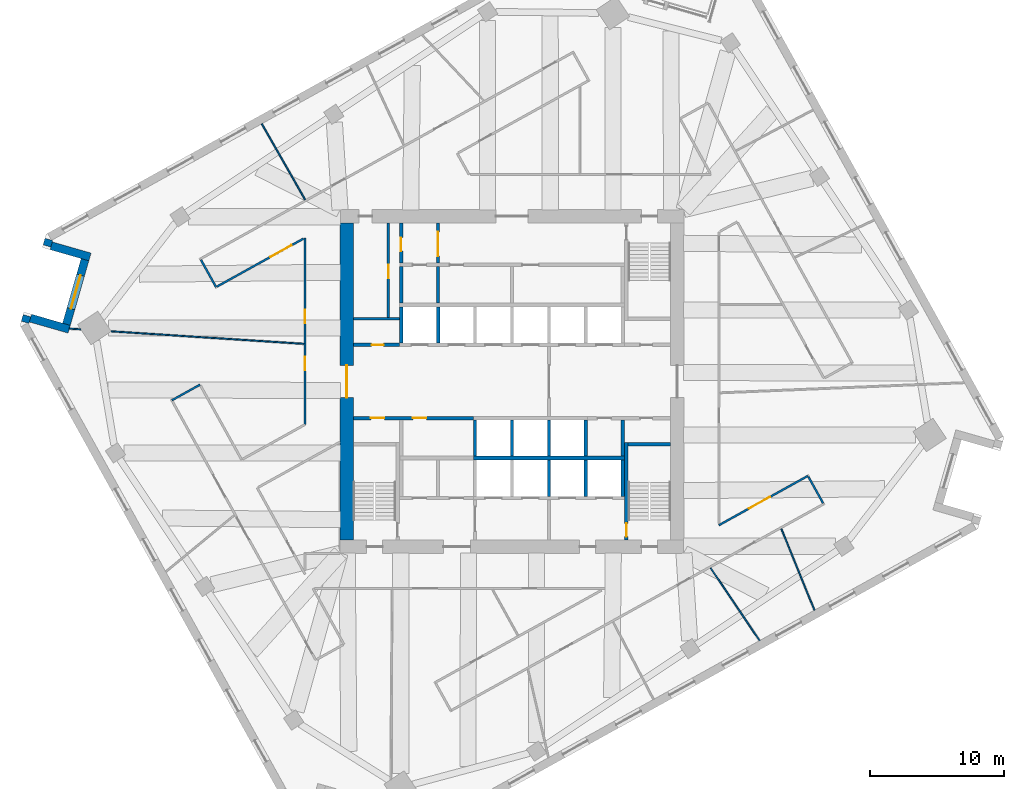
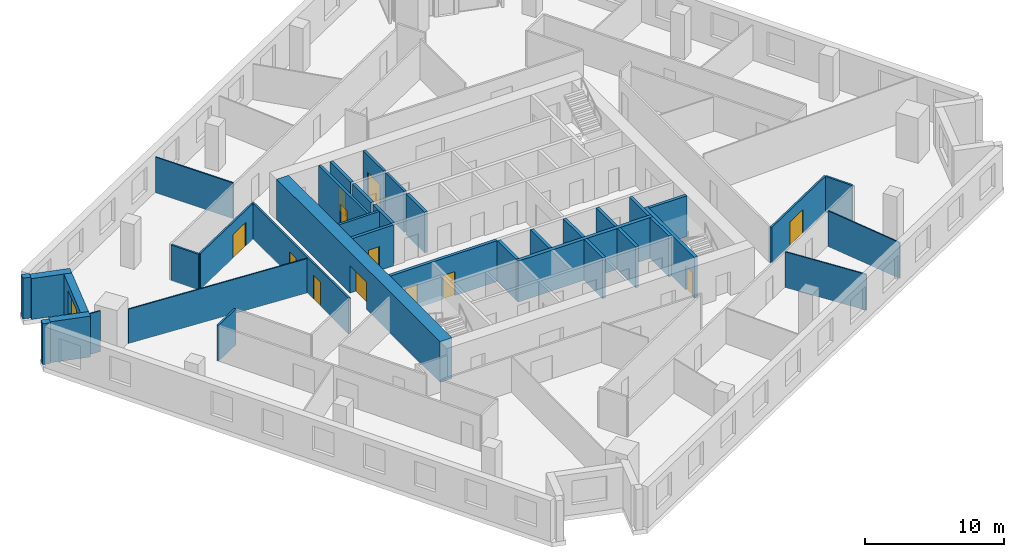
# One storey, part 7 of 12: 38 walls, 12 doors, 1 window, 13 openings.
"""IFC4 building model written with IfcOpenShell, lengths in metres."""

import ifcopenshell
import ifcopenshell.guid

model = None  # the IFC model being written
_history = None  # IfcOwnerHistory: only IFC2X3 demands one
_inside = {}  # id of a spatial element -> (the spatial element, [elements in it])
_under = {}  # id of a project, library or spatial element -> (it, [spatial elements below it])
_declared = {}  # id of a project -> (the project, [libraries it declares])
_typed = {}  # id of a type object -> (the type object, [elements of that type])
_made_of = {}  # id of a material, layer set ... -> (it, [elements and type objects made of it])


def new_model(schema):
    """Start an empty IFC model of exactly this schema.

    Asked for "IFC4X3", IfcOpenShell would pick the latest addendum, in which some entities
    have other attributes; the version numbers below select the first issue.
    IFC2X3 requires an IfcOwnerHistory on every rooted entity: one is made here for all.
    """
    global model, _history
    if schema == "IFC4X3":
        model = ifcopenshell.file(schema_version=(4, 3, 0, 0))
    else:
        model = ifcopenshell.file(schema=schema)
    _inside.clear()
    _under.clear()
    _declared.clear()
    _typed.clear()
    _made_of.clear()
    _history = None
    if model.schema == "IFC2X3":
        org = make("IfcOrganization", Name="unknown")
        user = make(
            "IfcPersonAndOrganization",
            ThePerson=make("IfcPerson", FamilyName="unknown"),
            TheOrganization=org,
        )
        app = make(
            "IfcApplication",
            ApplicationDeveloper=org,
            Version="unknown",
            ApplicationFullName="unknown",
            ApplicationIdentifier="unknown",
        )
        _history = make(
            "IfcOwnerHistory",
            OwningUser=user,
            OwningApplication=app,
            ChangeAction="ADDED",
            CreationDate=0,
        )
    return model


def make(cls, **values):
    """One entity of the class cls with the attributes given. An attribute that is None is left unset."""
    return model.create_entity(
        cls, **{name: value for name, value in values.items() if value is not None}
    )


def rooted(cls, **values):
    """An entity with a GlobalId (a new one), such as an element, a storey or a relation."""
    return make(cls, GlobalId=ifcopenshell.guid.new(), OwnerHistory=_history, **values)


def si_unit(unit_type, name, prefix=None):
    """IfcSIUnit, for example si_unit("LENGTHUNIT", "METRE", prefix="MILLI")."""
    return make("IfcSIUnit", UnitType=unit_type, Prefix=prefix, Name=name)


def assignment(units):
    """IfcUnitAssignment: the units of a project."""
    return None if units is None else make("IfcUnitAssignment", Units=units)


def point(xyz):
    """IfcCartesianPoint."""
    return None if xyz is None else make("IfcCartesianPoint", Coordinates=xyz)


def direction(xyz):
    """IfcDirection."""
    return None if xyz is None else make("IfcDirection", DirectionRatios=xyz)


def frame(location, z_axis=None, x_axis=None):
    """IfcAxis2Placement3D, a coordinate frame: its origin and axes. An axis left out is left unset."""
    return make(
        "IfcAxis2Placement3D",
        Location=point(location),
        Axis=direction(z_axis),
        RefDirection=direction(x_axis),
    )


def frame_2d(location, x_axis=None):
    """IfcAxis2Placement2D, a coordinate frame in the plane: its origin and x axis."""
    return make(
        "IfcAxis2Placement2D", Location=point(location), RefDirection=direction(x_axis)
    )


def origin():
    """The frame at (0, 0, 0) with its axes left unset."""
    return frame((0.0, 0.0, 0.0))


def place(relative_to, where):
    """IfcLocalPlacement: puts the frame where relative to a parent placement (None: the world)."""
    return make(
        "IfcLocalPlacement", PlacementRelTo=relative_to, RelativePlacement=where
    )


def context(
    kind, dimensions, precision=None, world=None, true_north=None, identifier=None
):
    """IfcGeometricRepresentationContext, for example the 3D "Model" context."""
    return make(
        "IfcGeometricRepresentationContext",
        ContextIdentifier=identifier,
        ContextType=kind,
        CoordinateSpaceDimension=dimensions,
        Precision=precision,
        WorldCoordinateSystem=world,
        TrueNorth=true_north,
    )


def subcontext(parent, identifier, kind, view, scale=None):
    """IfcGeometricRepresentationSubContext, for example "Body" below "Model"."""
    return make(
        "IfcGeometricRepresentationSubContext",
        ContextIdentifier=identifier,
        ContextType=kind,
        ParentContext=parent,
        TargetScale=scale,
        TargetView=view,
    )


def project(units=None, contexts=None):
    """IfcProject with its units and contexts."""
    return rooted(
        "IfcProject",
        Name="project",
        RepresentationContexts=contexts,
        UnitsInContext=assignment(units),
    )


def spatial(cls, under=None, at=None, **own):
    """A site, building, storey or space (cls), placed at a placement, below another one or the project."""
    s = rooted(cls, ObjectPlacement=at, **own)
    if under is not None:
        _under.setdefault(under.id(), (under, []))[1].append(s)
    return s


def profile(cls, at=None, kind="AREA", **sizes):
    """A parametric profile (cls). Its sizes go by their IFC names, for example OverallWidth=200.0."""
    return make(cls, ProfileType=kind, Position=at, **sizes)


def rectangle(**sizes):
    """IfcRectangleProfileDef."""
    return profile("IfcRectangleProfileDef", **sizes)


def extrude(swept, where, along, depth):
    """IfcExtrudedAreaSolid: the profile swept, set in the frame where, extruded along a direction by depth."""
    return make(
        "IfcExtrudedAreaSolid",
        SweptArea=swept,
        Position=where,
        ExtrudedDirection=direction(along),
        Depth=depth,
    )


def shape(context_of_items, identifier, shape_type, items):
    """IfcShapeRepresentation: the items that make up one representation, for example the "Body"."""
    return make(
        "IfcShapeRepresentation",
        ContextOfItems=context_of_items,
        RepresentationIdentifier=identifier,
        RepresentationType=shape_type,
        Items=items,
    )


def material(Name=None, Category=None):
    """IfcMaterial."""
    return make("IfcMaterial", Name=Name, Category=Category)


def layer(
    of_material, thickness, ventilated=None, Name=None, Category=None, Priority=None
):
    """IfcMaterialLayer: one layer of a wall or slab, of a material (None: an air gap)."""
    return make(
        "IfcMaterialLayer",
        Material=of_material,
        LayerThickness=thickness,
        IsVentilated=ventilated,
        Name=Name,
        Category=Category,
        Priority=Priority,
    )


def layer_set(layers, Name=None):
    """IfcMaterialLayerSet."""
    return make("IfcMaterialLayerSet", MaterialLayers=layers, LayerSetName=Name)


def made_of(thing, what):
    """Note that an element or type object is made of a material, layer set ...; save() writes the relation."""
    if what is not None:
        _made_of.setdefault(what.id(), (what, []))[1].append(thing)
    return thing


def type_object(cls, material=None, **own):
    """A type object (cls), such as IfcWallType, which elements share."""
    return made_of(rooted(cls, **own), material)


def element(
    cls,
    number,
    at=None,
    inside=None,
    cuts=None,
    type_object=None,
    material=None,
    context=None,
    identifier="Body",
    shape_type=None,
    held_by="IfcProductDefinitionShape",
    body=None,
    shapes=None,
    **own,
):
    """One element of the class cls, such as IfcWall. Its Tag is "e" and its number.

    at: its placement. inside: the storey or other place that contains it. cuts: it is an
    opening in that element (IfcRelVoidsElement). A single representation is given by context,
    identifier, shape_type and body (its items); several are given by shapes. held_by: the class
    of the entity that holds the representations. save() writes the other relations.
    """
    e = rooted(cls, Tag="e%d" % number, ObjectPlacement=at, **own)
    if body is not None:
        shapes = [shape(context, identifier, shape_type, body)]
    if shapes is not None:
        e.Representation = make(held_by, Representations=shapes)
    if inside is not None:
        _inside.setdefault(inside.id(), (inside, []))[1].append(e)
    if cuts is not None:
        rooted(
            "IfcRelVoidsElement", RelatingBuildingElement=cuts, RelatedOpeningElement=e
        )
    if type_object is not None:
        _typed.setdefault(type_object.id(), (type_object, []))[1].append(e)
    return made_of(e, material)


def fill(opening, filler):
    """IfcRelFillsElement: the door or window that sits in an opening."""
    return rooted(
        "IfcRelFillsElement",
        RelatingOpeningElement=opening,
        RelatedBuildingElement=filler,
    )


def aggregate(whole, parts):
    """IfcRelAggregates: a whole, such as a stair, and the parts it consists of."""
    return rooted("IfcRelAggregates", RelatingObject=whole, RelatedObjects=parts)


def save(model, path):
    """Write the relations noted so far, then the file.

    IfcRelAggregates (storeys below a building ...), IfcRelContainedInSpatialStructure (elements
    in a storey), IfcRelDefinesByType, IfcRelAssociatesMaterial and IfcRelDeclares: one each for
    every whole, place, type object, material and project.
    """
    for whole, parts in _under.values():
        aggregate(whole, parts)
    for where, things in _inside.values():
        rooted(
            "IfcRelContainedInSpatialStructure",
            RelatedElements=things,
            RelatingStructure=where,
        )
    for kind, things in _typed.values():
        rooted("IfcRelDefinesByType", RelatedObjects=things, RelatingType=kind)
    for what, things in _made_of.values():
        rooted("IfcRelAssociatesMaterial", RelatedObjects=things, RelatingMaterial=what)
    for by, libraries in _declared.values():
        rooted("IfcRelDeclares", RelatingContext=by, RelatedDefinitions=libraries)
    model.write(path)


model = new_model("IFC4")

# Units and contexts
model_context = context("Model", 3, precision=1e-05, world=origin(), true_north=direction((0.0, 1.0)))
body_context = subcontext(model_context, "Body", "Model", "MODEL_VIEW")
ifc_project = project(units=[si_unit("LENGTHUNIT", "METRE"), si_unit("AREAUNIT", "SQUARE_METRE"), si_unit("VOLUMEUNIT", "CUBIC_METRE"), si_unit("PLANEANGLEUNIT", "RADIAN"), si_unit("MASSUNIT", "GRAM", prefix="KILO")], contexts=[model_context])

# Site, building, storey
site_placement = place(None, origin())
site = spatial("IfcSite", under=ifc_project, at=site_placement, CompositionType="ELEMENT")
building_placement = place(site_placement, origin())
building = spatial("IfcBuilding", under=site, at=building_placement, Name="Dilmun Exchange Tower", CompositionType="ELEMENT")
storey_placement = place(building_placement, frame((0.0, 0.0, 143.699951171875)))
storey = spatial("IfcBuildingStorey", under=building, at=storey_placement, Name="L33", CompositionType="ELEMENT", Elevation=143.699951171875)

# Wall
ifc_material_1 = material(Name="Concrete C40/50", Category="concrete")
ifc_layer_1 = layer(ifc_material_1, 0.199951171875)
ifc_layer_set_1 = layer_set([ifc_layer_1], Name="Concrete C40/50")
wall_type_1 = type_object("IfcWallType", Name="Core partition wall 200", PredefinedType="PARTITIONING", material=ifc_layer_set_1)
wall_1_placement = place(storey_placement, frame((-11.794921875, 4.675048828125, 0.0), z_axis=(0.0, 0.0, 1.0), x_axis=(1.0, 0.0, 0.0)))
element("IfcWall", 1, at=wall_1_placement, inside=storey, type_object=wall_type_1, Name="L33 core partition wall 14", PredefinedType="PARTITIONING", context=body_context, shape_type="SweptSolid", body=[
    extrude(rectangle(XDim=3.4150390625, YDim=0.199951171875, at=frame_2d((1.70751953125, 0.0))), origin(), (0.0, 0.0, 1.0), 3.60009765625),
])

# Wall, opening, door
wall_2_placement = place(storey_placement, frame((-9.199951171875, 4.780029296875, 0.0), z_axis=(0.0, 0.0, 1.0), x_axis=(0.0, 1.0, 0.0)))
wall_2 = element("IfcWall", 2, at=wall_2_placement, inside=storey, type_object=wall_type_1, Name="L33 core partition wall 15", PredefinedType="PARTITIONING", context=body_context, shape_type="SweptSolid", body=[
    extrude(rectangle(XDim=7.014892578125, YDim=0.199951171875, at=frame_2d((3.50732421875, 0.0))), origin(), (0.0, 0.0, 1.0), 3.60009765625),
])
opening_1_placement = place(wall_2_placement, frame((2.919921875, 0.0, 0.0)))
opening_1 = element("IfcOpeningElement", 3, at=opening_1_placement, cuts=wall_2, Name="Opening CD4", PredefinedType="OPENING", context=body_context, shape_type="SweptSolid", body=[
    extrude(rectangle(XDim=1.0, YDim=2.10009765625, at=frame_2d((0.5, 1.050048828125))), frame((0.0, 0.10986328125, 0.0), z_axis=(0.0, -1.0, 0.0), x_axis=(1.0, 0.0, 0.0)), (0.0, 0.0, 1.0), 0.219970703125),
])
ifc_material_2 = material(Name="Fire-rated steel door set", Category="steel")
door_type_1 = type_object("IfcDoorType", Name="Core room door 1000x2100", OperationType="SINGLE_SWING_LEFT", PredefinedType="DOOR", material=ifc_material_2)
door_1_placement = place(opening_1_placement, origin())
door_1 = element("IfcDoor", 4, at=door_1_placement, inside=storey, type_object=door_type_1, Name="L33 door Fire safety store", OperationType="SINGLE_SWING_RIGHT", OverallHeight=2.10009765625, OverallWidth=1.0, PredefinedType="DOOR", context=body_context, shape_type="SweptSolid", body=[
    extrude(rectangle(XDim=1.0, YDim=2.10009765625, at=frame_2d((0.5, 1.050048828125))), frame((0.0, 0.02490234375, 0.0), z_axis=(0.0, -1.0, 0.0), x_axis=(1.0, 0.0, 0.0)), (0.0, 0.0, 1.0), 0.050048828125),
])
fill(opening_1, door_1)

# Wall
wall_3_placement = place(storey_placement, frame((-5.5, 5.85498046875, 0.0), z_axis=(0.0, 0.0, 1.0), x_axis=(0.0, 1.0, 0.0)))
element("IfcWall", 5, at=wall_3_placement, inside=storey, type_object=wall_type_1, Name="L33 core partition wall 17", PredefinedType="PARTITIONING", context=body_context, shape_type="SweptSolid", body=[
    extrude(rectangle(XDim=2.68994140625, YDim=0.199951171875, at=frame_2d((1.344970703125, 0.0))), origin(), (0.0, 0.0, 1.0), 3.60009765625),
])

# Wall, opening, door
wall_4_placement = place(storey_placement, frame((-5.5, 8.804931640625, 0.0), z_axis=(0.0, 0.0, 1.0), x_axis=(0.0, 1.0, 0.0)))
wall_4 = element("IfcWall", 6, at=wall_4_placement, inside=storey, type_object=wall_type_1, Name="L33 core partition wall 22", PredefinedType="PARTITIONING", context=body_context, shape_type="SweptSolid", body=[
    extrude(rectangle(XDim=2.989990234375, YDim=0.199951171875, at=frame_2d((1.4951171875, 0.0))), origin(), (0.0, 0.0, 1.0), 3.60009765625),
])
opening_2_placement = place(wall_4_placement, frame((0.532470703125, 0.0, 0.0)))
opening_2 = element("IfcOpeningElement", 7, at=opening_2_placement, cuts=wall_4, Name="Opening CD5", PredefinedType="OPENING", context=body_context, shape_type="SweptSolid", body=[
    extrude(rectangle(XDim=1.800048828125, YDim=2.10009765625, at=frame_2d((0.89990234375, 1.050048828125))), frame((0.0, 0.10986328125, 0.0), z_axis=(0.0, -1.0, 0.0), x_axis=(1.0, 0.0, 0.0)), (0.0, 0.0, 1.0), 0.219970703125),
])
door_type_2 = type_object("IfcDoorType", Name="Stair exit door 1800x2100", OperationType="SINGLE_SWING_LEFT", PredefinedType="DOOR", material=ifc_material_2)
door_2_placement = place(opening_2_placement, origin())
door_2 = element("IfcDoor", 8, at=door_2_placement, inside=storey, type_object=door_type_2, Name="L33 door Core corridor east", OperationType="SINGLE_SWING_LEFT", OverallHeight=2.10009765625, OverallWidth=1.800048828125, PredefinedType="DOOR", context=body_context, shape_type="SweptSolid", body=[
    extrude(rectangle(XDim=1.800048828125, YDim=2.10009765625, at=frame_2d((0.89990234375, 1.050048828125))), frame((0.0, 0.02490234375, 0.0), z_axis=(0.0, -1.0, 0.0), x_axis=(1.0, 0.0, 0.0)), (0.0, 0.0, 1.0), 0.050048828125),
])
fill(opening_2, door_2)

# Wall
ifc_layer_2 = layer(ifc_material_1, 0.25)
ifc_layer_set_2 = layer_set([ifc_layer_2], Name="Concrete C40/50")
wall_type_2 = type_object("IfcWallType", Name="Core partition wall 250", PredefinedType="PARTITIONING", material=ifc_layer_set_2)
wall_5_placement = place(storey_placement, frame((8.25, -5.544921875, 0.0), z_axis=(0.0, 0.0, 1.0), x_axis=(0.0, 1.0, 0.0)))
element("IfcWall", 9, at=wall_5_placement, inside=storey, type_object=wall_type_2, Name="L33 core partition wall 08", PredefinedType="PARTITIONING", context=body_context, shape_type="SweptSolid", body=[
    extrude(rectangle(XDim=2.68994140625, YDim=0.25, at=frame_2d((1.344970703125, 0.0))), origin(), (0.0, 0.0, 1.0), 3.60009765625),
])

# Wall, openings, doors
wall_6_placement = place(storey_placement, frame((-11.794921875, -2.72509765625, 0.0), z_axis=(0.0, 0.0, 1.0), x_axis=(1.0, 0.0, 0.0)))
wall_6 = element("IfcWall", 10, at=wall_6_placement, inside=storey, type_object=wall_type_2, Name="L33 core partition wall 09", PredefinedType="PARTITIONING", context=body_context, shape_type="SweptSolid", body=[
    extrude(rectangle(XDim=8.9150390625, YDim=0.25, at=frame_2d((4.45751953125, 0.0))), origin(), (0.0, 0.0, 1.0), 3.60009765625),
])
opening_3_placement = place(wall_6_placement, frame((1.294921875, 0.0, 0.0)))
opening_3 = element("IfcOpeningElement", 11, at=opening_3_placement, cuts=wall_6, Name="Opening CD4", PredefinedType="OPENING", context=body_context, shape_type="SweptSolid", body=[
    extrude(rectangle(XDim=1.0, YDim=2.10009765625, at=frame_2d((0.5, 1.050048828125))), frame((0.0, 0.135009765625, 0.0), z_axis=(0.0, -1.0, 0.0), x_axis=(1.0, 0.0, 0.0)), (0.0, 0.0, 1.0), 0.27001953125),
])
opening_4_placement = place(wall_6_placement, frame((4.419921875, 0.0, 0.0)))
opening_4 = element("IfcOpeningElement", 12, at=opening_4_placement, cuts=wall_6, Name="Opening CD4", PredefinedType="OPENING", context=body_context, shape_type="SweptSolid", body=[
    extrude(rectangle(XDim=1.0, YDim=2.10009765625, at=frame_2d((0.5, 1.050048828125))), frame((0.0, 0.135009765625, 0.0), z_axis=(0.0, -1.0, 0.0), x_axis=(1.0, 0.0, 0.0)), (0.0, 0.0, 1.0), 0.27001953125),
])
door_3_placement = place(opening_3_placement, origin())
door_3 = element("IfcDoor", 13, at=door_3_placement, inside=storey, type_object=door_type_1, Name="L33 door Accessible WC", OperationType="SINGLE_SWING_RIGHT", OverallHeight=2.10009765625, OverallWidth=1.0, PredefinedType="DOOR", context=body_context, shape_type="SweptSolid", body=[
    extrude(rectangle(XDim=1.0, YDim=2.10009765625, at=frame_2d((0.5, 1.050048828125))), frame((0.0, 0.02490234375, 0.0), z_axis=(0.0, -1.0, 0.0), x_axis=(1.0, 0.0, 0.0)), (0.0, 0.0, 1.0), 0.050048828125),
])
fill(opening_3, door_3)
door_4_placement = place(opening_4_placement, origin())
door_4 = element("IfcDoor", 14, at=door_4_placement, inside=storey, type_object=door_type_1, Name="L33 door Tenant services room", OperationType="SINGLE_SWING_RIGHT", OverallHeight=2.10009765625, OverallWidth=1.0, PredefinedType="DOOR", context=body_context, shape_type="SweptSolid", body=[
    extrude(rectangle(XDim=1.0, YDim=2.10009765625, at=frame_2d((0.5, 1.050048828125))), frame((0.0, 0.02490234375, 0.0), z_axis=(0.0, -1.0, 0.0), x_axis=(1.0, 0.0, 0.0)), (0.0, 0.0, 1.0), 0.050048828125),
])
fill(opening_4, door_4)

# Wall, opening, door
wall_7_placement = place(storey_placement, frame((-11.794921875, 2.72509765625, 0.0), z_axis=(0.0, 0.0, 1.0), x_axis=(1.0, 0.0, 0.0)))
wall_7 = element("IfcWall", 15, at=wall_7_placement, inside=storey, type_object=wall_type_2, Name="L33 core partition wall 12", PredefinedType="PARTITIONING", context=body_context, shape_type="SweptSolid", body=[
    extrude(rectangle(XDim=3.4150390625, YDim=0.25, at=frame_2d((1.70751953125, 0.0))), origin(), (0.0, 0.0, 1.0), 3.60009765625),
])
opening_5_placement = place(wall_7_placement, frame((1.344970703125, 0.0, 0.0)))
opening_5 = element("IfcOpeningElement", 16, at=opening_5_placement, cuts=wall_7, Name="Opening CD6", PredefinedType="OPENING", context=body_context, shape_type="SweptSolid", body=[
    extrude(rectangle(XDim=0.89990234375, YDim=2.10009765625, at=frame_2d((0.449951171875, 1.050048828125))), frame((0.0, 0.135009765625, 0.0), z_axis=(0.0, -1.0, 0.0), x_axis=(1.0, 0.0, 0.0)), (0.0, 0.0, 1.0), 0.27001953125),
])
door_type_3 = type_object("IfcDoorType", Name="Core room door 900x2100", OperationType="SINGLE_SWING_LEFT", PredefinedType="DOOR", material=ifc_material_2)
door_5_placement = place(opening_5_placement, origin())
door_5 = element("IfcDoor", 17, at=door_5_placement, inside=storey, type_object=door_type_3, Name="L33 door Plumbing riser", OperationType="SINGLE_SWING_RIGHT", OverallHeight=2.10009765625, OverallWidth=0.89990234375, PredefinedType="DOOR", context=body_context, shape_type="SweptSolid", body=[
    extrude(rectangle(XDim=0.89990234375, YDim=2.10009765625, at=frame_2d((0.449951171875, 1.050048828125))), frame((0.0, 0.02490234375, 0.0), z_axis=(0.0, -1.0, 0.0), x_axis=(1.0, 0.0, 0.0)), (0.0, 0.0, 1.0), 0.050048828125),
])
fill(opening_5, door_5)

# Wall
wall_8_placement = place(storey_placement, frame((-8.25, 5.85498046875, 0.0), z_axis=(0.0, 0.0, 1.0), x_axis=(0.0, 1.0, 0.0)))
element("IfcWall", 18, at=wall_8_placement, inside=storey, type_object=wall_type_2, Name="L33 core partition wall 16", PredefinedType="PARTITIONING", context=body_context, shape_type="SweptSolid", body=[
    extrude(rectangle(XDim=2.68994140625, YDim=0.25, at=frame_2d((1.344970703125, 0.0))), origin(), (0.0, 0.0, 1.0), 3.60009765625),
])

# Wall, opening, door
wall_9_placement = place(storey_placement, frame((-8.25, 8.804931640625, 0.0), z_axis=(0.0, 0.0, 1.0), x_axis=(0.0, 1.0, 0.0)))
wall_9 = element("IfcWall", 19, at=wall_9_placement, inside=storey, type_object=wall_type_2, Name="L33 core partition wall 21", PredefinedType="PARTITIONING", context=body_context, shape_type="SweptSolid", body=[
    extrude(rectangle(XDim=2.989990234375, YDim=0.25, at=frame_2d((1.4951171875, 0.0))), origin(), (0.0, 0.0, 1.0), 3.60009765625),
])
opening_6_placement = place(wall_9_placement, frame((0.89501953125, 0.0, 0.0)))
opening_6 = element("IfcOpeningElement", 20, at=opening_6_placement, cuts=wall_9, Name="Opening CD4", PredefinedType="OPENING", context=body_context, shape_type="SweptSolid", body=[
    extrude(rectangle(XDim=1.0, YDim=2.10009765625, at=frame_2d((0.5, 1.050048828125))), frame((0.0, 0.135009765625, 0.0), z_axis=(0.0, -1.0, 0.0), x_axis=(1.0, 0.0, 0.0)), (0.0, 0.0, 1.0), 0.27001953125),
])
door_6_placement = place(opening_6_placement, origin())
door_6 = element("IfcDoor", 21, at=door_6_placement, inside=storey, type_object=door_type_1, Name="L33 door Tenant services room", OperationType="SINGLE_SWING_RIGHT", OverallHeight=2.10009765625, OverallWidth=1.0, PredefinedType="DOOR", context=body_context, shape_type="SweptSolid", body=[
    extrude(rectangle(XDim=1.0, YDim=2.10009765625, at=frame_2d((0.5, 1.050048828125))), frame((0.0, 0.02490234375, 0.0), z_axis=(0.0, -1.0, 0.0), x_axis=(1.0, 0.0, 0.0)), (0.0, 0.0, 1.0), 0.050048828125),
])
fill(opening_6, door_6)

ifc_material_3 = material(Name="Concrete C70/85", Category="concrete")
ifc_layer_3 = layer(ifc_material_3, 1.0)
ifc_layer_set_3 = layer_set([ifc_layer_3], Name="Concrete C70/85")
wall_type_3 = type_object("IfcWallType", Name="Core shear wall 1000 Concrete C70/85", PredefinedType="SHEAR", material=ifc_layer_set_3)
wall_10_placement = place(storey_placement, frame((-12.300048828125, -11.800048828125, 0.0), z_axis=(0.0, 0.0, 1.0), x_axis=(0.0, 1.0, 0.0)))
wall_10 = element("IfcWall", 22, at=wall_10_placement, inside=storey, type_object=wall_type_3, Name="L33 core shear wall W", PredefinedType="SHEAR", context=body_context, shape_type="SweptSolid", body=[
    extrude(rectangle(XDim=23.60009765625, YDim=1.0, at=frame_2d((11.800048828125, 0.0))), origin(), (0.0, 0.0, 1.0), 3.60009765625),
])
opening_7_placement = place(wall_10_placement, frame((10.60009765625, 0.0, 0.0)))
opening_7 = element("IfcOpeningElement", 23, at=opening_7_placement, cuts=wall_10, Name="Opening CD1", PredefinedType="OPENING", context=body_context, shape_type="SweptSolid", body=[
    extrude(rectangle(XDim=2.39990234375, YDim=2.39990234375, at=frame_2d((1.199951171875, 1.199951171875))), frame((0.0, 0.510009765625, 0.0), z_axis=(0.0, -1.0, 0.0), x_axis=(1.0, 0.0, 0.0)), (0.0, 0.0, 1.0), 1.02001953125),
])
door_type_4 = type_object("IfcDoorType", Name="Core lobby door 2400x2400", OperationType="DOUBLE_DOOR_DOUBLE_SWING", PredefinedType="DOOR", material=ifc_material_2)
door_7_placement = place(opening_7_placement, origin())
door_7 = element("IfcDoor", 24, at=door_7_placement, inside=storey, type_object=door_type_4, Name="L33 door Central lift lobby", OperationType="SINGLE_SWING_LEFT", OverallHeight=2.39990234375, OverallWidth=2.39990234375, PredefinedType="DOOR", context=body_context, shape_type="SweptSolid", body=[
    extrude(rectangle(XDim=2.39990234375, YDim=2.39990234375, at=frame_2d((1.199951171875, 1.199951171875))), frame((0.0, 0.02490234375, 0.0), z_axis=(0.0, -1.0, 0.0), x_axis=(1.0, 0.0, 0.0)), (0.0, 0.0, 1.0), 0.050048828125),
])
fill(opening_7, door_7)

# Walls
ifc_material_4 = material(Name="Corridor wall 150")
ifc_layer_4 = layer(ifc_material_4, 0.14990234375)
ifc_layer_set_4 = layer_set([ifc_layer_4], Name="Corridor wall 150")
wall_type_4 = type_object("IfcWallType", Name="Corridor wall 150", PredefinedType="PARTITIONING", material=ifc_layer_set_4)
wall_11_placement = place(storey_placement, frame((-25.31494140625, -1.40087890625, 0.0), z_axis=(0.0, 0.0, 1.0), x_axis=(0.874550463112, 0.484934518745, 0.0)))
element("IfcWall", 25, at=wall_11_placement, inside=storey, type_object=wall_type_4, Name="Corridor wall", PredefinedType="PARTITIONING", context=body_context, shape_type="SweptSolid", body=[
    extrude(rectangle(XDim=2.39990234375, YDim=0.14990234375, at=frame_2d((1.199951171875, 0.0))), origin(), (0.0, 0.0, 1.0), 3.150146484375),
])
wall_12_placement = place(storey_placement, frame((-23.150634765625, 9.057373046875, 0.0), z_axis=(0.0, 0.0, 1.0), x_axis=(0.484983092102, -0.874523527628, 0.0)))
element("IfcWall", 26, at=wall_12_placement, inside=storey, type_object=wall_type_4, Name="Corridor wall", PredefinedType="PARTITIONING", context=body_context, shape_type="SweptSolid", body=[
    extrude(rectangle(XDim=2.3251953125, YDim=0.14990234375, at=frame_2d((1.16259765625, 0.0))), origin(), (0.0, 0.0, 1.0), 3.150146484375),
])

# Wall, opening, door
wall_13_placement = place(storey_placement, frame((-21.95751953125, 7.060302734375, 0.0), z_axis=(0.0, 0.0, 1.0), x_axis=(0.87462563297, 0.484798929611, 0.0)))
wall_13 = element("IfcWall", 27, at=wall_13_placement, inside=storey, type_object=wall_type_4, Name="Corridor wall", PredefinedType="PARTITIONING", context=body_context, shape_type="SweptSolid", body=[
    extrude(rectangle(XDim=7.3701171875, YDim=0.14990234375, at=frame_2d((3.68505859375, 0.0))), origin(), (0.0, 0.0, 1.0), 3.150146484375),
])
opening_8_placement = place(wall_13_placement, frame((4.550048828125, 0.0, 0.0)))
opening_8 = element("IfcOpeningElement", 28, at=opening_8_placement, cuts=wall_13, Name="Opening TF31-D03", PredefinedType="OPENING", context=body_context, shape_type="SweptSolid", body=[
    extrude(rectangle(XDim=1.800048828125, YDim=2.10009765625, at=frame_2d((0.89990234375, 1.050048828125))), frame((0.0, 0.0849609375, 0.0), z_axis=(0.0, -1.0, 0.0), x_axis=(1.0, 0.0, 0.0)), (0.0, 0.0, 1.0), 0.169921875),
])
ifc_material_5 = material(Name="Fire door pair 1800 x 2100")
door_type_5 = type_object("IfcDoorType", Name="Fire door pair 1800 x 2100", OperationType="NOTDEFINED", PredefinedType="DOOR", material=ifc_material_5)
door_8_placement = place(opening_8_placement, frame((1.800048828125, 0.0, 0.0), z_axis=(0.0, 0.0, 1.0), x_axis=(-1.0, 0.0, 0.0)))
door_8 = element("IfcDoor", 29, at=door_8_placement, inside=storey, type_object=door_type_5, Name="Door TF31-D03", OperationType="DOUBLE_DOOR_SINGLE_SWING", OverallHeight=2.10009765625, OverallWidth=1.800048828125, PredefinedType="DOOR", context=body_context, shape_type="SweptSolid", body=[
    extrude(rectangle(XDim=1.800048828125, YDim=2.10009765625, at=frame_2d((0.89990234375, 1.050048828125))), frame((0.0, 0.02490234375, 0.0), z_axis=(0.0, -1.0, 0.0), x_axis=(1.0, 0.0, 0.0)), (0.0, 0.0, 1.0), 0.050048828125),
])
fill(opening_8, door_8)

# Wall, openings, doors
wall_14_placement = place(storey_placement, frame((-15.39990234375, -3.200927734375, 0.0), z_axis=(0.0, 0.0, 1.0), x_axis=(0.0, 1.0, 0.0)))
wall_14 = element("IfcWall", 30, at=wall_14_placement, inside=storey, type_object=wall_type_4, Name="Corridor wall", PredefinedType="PARTITIONING", context=body_context, shape_type="SweptSolid", body=[
    extrude(rectangle(XDim=13.89599609375, YDim=0.14990234375, at=frame_2d((6.947998046875, 0.0))), origin(), (0.0, 0.0, 1.0), 3.150146484375),
])
opening_9_placement = place(wall_14_placement, frame((4.050048828125, 0.0, 0.0)))
opening_9 = element("IfcOpeningElement", 31, at=opening_9_placement, cuts=wall_14, Name="Opening TF31-D02", PredefinedType="OPENING", context=body_context, shape_type="SweptSolid", body=[
    extrude(rectangle(XDim=1.0, YDim=2.10009765625, at=frame_2d((0.5, 1.050048828125))), frame((0.0, 0.0849609375, 0.0), z_axis=(0.0, -1.0, 0.0), x_axis=(1.0, 0.0, 0.0)), (0.0, 0.0, 1.0), 0.169921875),
])
opening_10_placement = place(wall_14_placement, frame((7.545654296875, 0.0, 0.0)))
opening_10 = element("IfcOpeningElement", 32, at=opening_10_placement, cuts=wall_14, Name="Opening TF31-D04", PredefinedType="OPENING", context=body_context, shape_type="SweptSolid", body=[
    extrude(rectangle(XDim=1.0, YDim=2.10009765625, at=frame_2d((0.5, 1.050048828125))), frame((0.0, 0.0849609375, 0.0), z_axis=(0.0, -1.0, 0.0), x_axis=(1.0, 0.0, 0.0)), (0.0, 0.0, 1.0), 0.169921875),
])
ifc_material_6 = material(Name="Fire door 1000 x 2100")
door_type_6 = type_object("IfcDoorType", Name="Fire door 1000 x 2100", OperationType="NOTDEFINED", PredefinedType="DOOR", material=ifc_material_6)
door_9_placement = place(opening_9_placement, origin())
door_9 = element("IfcDoor", 33, at=door_9_placement, inside=storey, type_object=door_type_6, Name="Door TF31-D02", OperationType="SINGLE_SWING_RIGHT", OverallHeight=2.10009765625, OverallWidth=1.0, PredefinedType="DOOR", context=body_context, shape_type="SweptSolid", body=[
    extrude(rectangle(XDim=1.0, YDim=2.10009765625, at=frame_2d((0.5, 1.050048828125))), frame((0.0, 0.02490234375, 0.0), z_axis=(0.0, -1.0, 0.0), x_axis=(1.0, 0.0, 0.0)), (0.0, 0.0, 1.0), 0.050048828125),
])
fill(opening_9, door_9)
door_10_placement = place(opening_10_placement, origin())
door_10 = element("IfcDoor", 34, at=door_10_placement, inside=storey, type_object=door_type_6, Name="Door TF31-D04", OperationType="SINGLE_SWING_RIGHT", OverallHeight=2.10009765625, OverallWidth=1.0, PredefinedType="DOOR", context=body_context, shape_type="SweptSolid", body=[
    extrude(rectangle(XDim=1.0, YDim=2.10009765625, at=frame_2d((0.5, 1.050048828125))), frame((0.0, 0.02490234375, 0.0), z_axis=(0.0, -1.0, 0.0), x_axis=(1.0, 0.0, 0.0)), (0.0, 0.0, 1.0), 0.050048828125),
])
fill(opening_10, door_10)

# Wall, opening, door
wall_15_placement = place(storey_placement, frame((15.39990234375, -10.695068359375, 0.0), z_axis=(0.0, 0.0, 1.0), x_axis=(0.874623752953, 0.484802321334, 0.0)))
wall_15 = element("IfcWall", 35, at=wall_15_placement, inside=storey, type_object=wall_type_4, Name="Corridor wall", PredefinedType="PARTITIONING", context=body_context, shape_type="SweptSolid", body=[
    extrude(rectangle(XDim=7.572509765625, YDim=0.14990234375, at=frame_2d((3.7861328125, 0.0))), origin(), (0.0, 0.0, 1.0), 3.150146484375),
])
opening_11_placement = place(wall_15_placement, frame((2.550048828125, 0.0, 0.0)))
opening_11 = element("IfcOpeningElement", 36, at=opening_11_placement, cuts=wall_15, Name="Opening TF31-D22", PredefinedType="OPENING", context=body_context, shape_type="SweptSolid", body=[
    extrude(rectangle(XDim=1.800048828125, YDim=2.10009765625, at=frame_2d((0.89990234375, 1.050048828125))), frame((0.0, 0.0849609375, 0.0), z_axis=(0.0, -1.0, 0.0), x_axis=(1.0, 0.0, 0.0)), (0.0, 0.0, 1.0), 0.169921875),
])
door_11_placement = place(opening_11_placement, origin())
door_11 = element("IfcDoor", 37, at=door_11_placement, inside=storey, type_object=door_type_5, Name="Door TF31-D22", OperationType="DOUBLE_DOOR_SINGLE_SWING", OverallHeight=2.10009765625, OverallWidth=1.800048828125, PredefinedType="DOOR", context=body_context, shape_type="SweptSolid", body=[
    extrude(rectangle(XDim=1.800048828125, YDim=2.10009765625, at=frame_2d((0.89990234375, 1.050048828125))), frame((0.0, 0.02490234375, 0.0), z_axis=(0.0, -1.0, 0.0), x_axis=(1.0, 0.0, 0.0)), (0.0, 0.0, 1.0), 0.050048828125),
])
fill(opening_11, door_11)

# Walls
wall_16_placement = place(storey_placement, frame((22.059326171875, -7.089599609375, 0.0), z_axis=(0.0, 0.0, 1.0), x_axis=(0.484997936641, -0.874515295151, 0.0)))
element("IfcWall", 38, at=wall_16_placement, inside=storey, type_object=wall_type_4, Name="Corridor wall", PredefinedType="PARTITIONING", context=body_context, shape_type="SweptSolid", body=[
    extrude(rectangle(XDim=2.250244140625, YDim=0.14990234375, at=frame_2d((1.125, 0.0))), origin(), (0.0, 0.0, 1.0), 3.150146484375),
])
ifc_layer_5 = layer(ifc_material_1, 0.300048828125)
ifc_layer_set_5 = layer_set([ifc_layer_5], Name="Concrete C40/50")
wall_type_5 = type_object("IfcWallType", Name="Lift shaft shared wall 300", PredefinedType="SOLIDWALL", material=ifc_layer_set_5)
wall_17_placement = place(storey_placement, frame((-2.875, -5.699951171875, 0.0), z_axis=(0.0, 0.0, 1.0), x_axis=(1.0, 0.0, 0.0)))
element("IfcWall", 39, at=wall_17_placement, inside=storey, type_object=wall_type_5, Name="L33 lift shaft rear wall S", PredefinedType="SOLIDWALL", context=body_context, shape_type="SweptSolid", body=[
    extrude(rectangle(XDim=11.25, YDim=0.300048828125, at=frame_2d((5.625, 0.0))), origin(), (0.0, 0.0, 1.0), 3.60009765625),
])
ifc_layer_6 = layer(ifc_material_1, 0.25)
ifc_layer_set_6 = layer_set([ifc_layer_6], Name="Concrete C40/50")
wall_type_6 = type_object("IfcWallType", Name="Lift shaft wall 250", PredefinedType="SOLIDWALL", material=ifc_layer_set_6)
for number, where, z_axis, x_axis, name in (
    (40, (-8.25, 2.85009765625, 0.0), (0.0, 0.0, 1.0), (0.0, 1.0, 0.0), "L33 lift shaft divider N10"),
    (41, (-5.5, 2.85009765625, 0.0), (0.0, 0.0, 1.0), (0.0, 1.0, 0.0), "L33 lift shaft divider N11"),
    (42, (-2.75, -5.550048828125, 0.0), (0.0, 0.0, 1.0), (0.0, 1.0, 0.0), "L33 lift shaft divider S12"),
    (43, (0.0, -5.550048828125, 0.0), (0.0, 0.0, 1.0), (0.0, 1.0, 0.0), "L33 lift shaft divider S13"),
    (44, (2.75, -5.550048828125, 0.0), (0.0, 0.0, 1.0), (0.0, 1.0, 0.0), "L33 lift shaft divider S14"),
    (45, (5.5, -5.550048828125, 0.0), (0.0, 0.0, 1.0), (0.0, 1.0, 0.0), "L33 lift shaft divider S15"),
    (46, (2.75, -8.550048828125, 0.0), (0.0, 0.0, 1.0), (0.0, 1.0, 0.0), "L33 lift shaft divider S24"),
    (47, (5.5, -8.550048828125, 0.0), (0.0, 0.0, 1.0), (0.0, 1.0, 0.0), "L33 lift shaft divider S25"),
    (48, (8.25, -8.550048828125, 0.0), (0.0, 0.0, 1.0), (0.0, 1.0, 0.0), "L33 lift shaft divider S26"),
):
    element("IfcWall", number, at=place(storey_placement, frame(where, z_axis=z_axis, x_axis=x_axis)), inside=storey, type_object=wall_type_6, Name=name, PredefinedType="SOLIDWALL", context=body_context, shape_type="SweptSolid", body=[
        extrude(rectangle(XDim=2.699951171875, YDim=0.25, at=frame_2d((1.35009765625, 0.0))), origin(), (0.0, 0.0, 1.0), 3.60009765625),
    ])
ifc_material_7 = material(Name="Partition 100")
ifc_layer_7 = layer(ifc_material_7, 0.10009765625)
ifc_layer_set_7 = layer_set([ifc_layer_7], Name="Partition 100")
wall_type_7 = type_object("IfcWallType", Name="Partition 100", PredefinedType="PARTITIONING", material=ifc_layer_set_7)
wall_18_placement = place(storey_placement, frame((-32.934814453125, 3.93408203125, 0.0), z_axis=(0.0, 0.0, 1.0), x_axis=(0.997900062075, -0.064772417822, 0.0)))
element("IfcWall", 49, at=wall_18_placement, inside=storey, type_object=wall_type_7, Name="Partition", PredefinedType="PARTITIONING", context=body_context, shape_type="SweptSolid", body=[
    extrude(rectangle(XDim=0.84423828125, YDim=0.10009765625, at=frame_2d((0.422119140625, 0.0))), origin(), (0.0, 0.0, 1.0), 3.60009765625),
])
wall_19_placement = place(storey_placement, frame((-29.830810546875, 3.732421875, 0.0), z_axis=(0.0, 0.0, 1.0), x_axis=(0.997896608912, -0.0648255962, 0.0)))
element("IfcWall", 50, at=wall_19_placement, inside=storey, type_object=wall_type_7, Name="Partition", PredefinedType="PARTITIONING", context=body_context, shape_type="SweptSolid", body=[
    extrude(rectangle(XDim=14.3828125, YDim=0.10009765625, at=frame_2d((7.19140625, 0.0))), origin(), (0.0, 0.0, 1.0), 3.030029296875),
])
wall_20_placement = place(storey_placement, frame((-18.622314453125, 19.173828125, 0.0), z_axis=(0.0, 0.0, 1.0), x_axis=(0.496555361039, -0.8680050538, 0.0)))
element("IfcWall", 51, at=wall_20_placement, inside=storey, type_object=wall_type_7, Name="Partition", PredefinedType="PARTITIONING", context=body_context, shape_type="SweptSolid", body=[
    extrude(rectangle(XDim=6.502197265625, YDim=0.10009765625, at=frame_2d((3.2509765625, 0.0))), origin(), (0.0, 0.0, 1.0), 3.150146484375),
])
wall_21_placement = place(storey_placement, frame((14.777587890625, -13.875, 0.0), z_axis=(0.0, 0.0, 1.0), x_axis=(0.559166197626, -0.829055585249, 0.0)))
element("IfcWall", 52, at=wall_21_placement, inside=storey, type_object=wall_type_7, Name="Partition", PredefinedType="PARTITIONING", context=body_context, shape_type="SweptSolid", body=[
    extrude(rectangle(XDim=6.52294921875, YDim=0.10009765625, at=frame_2d((3.261474609375, 0.0))), origin(), (0.0, 0.0, 1.0), 3.150146484375),
])
wall_22_placement = place(storey_placement, frame((20.038818359375, -10.96044921875, 0.0), z_axis=(0.0, 0.0, 1.0), x_axis=(0.377410664053, -0.926045998134, 0.0)))
element("IfcWall", 53, at=wall_22_placement, inside=storey, type_object=wall_type_7, Name="Partition", PredefinedType="PARTITIONING", context=body_context, shape_type="SweptSolid", body=[
    extrude(rectangle(XDim=6.543212890625, YDim=0.10009765625, at=frame_2d((3.271484375, 0.0))), origin(), (0.0, 0.0, 1.0), 3.150146484375),
])
ifc_material_8 = material(Name="Precast concrete C50/60", Category="concrete")
ifc_layer_8 = layer(ifc_material_8, 0.60009765625)
ifc_layer_set_8 = layer_set([ifc_layer_8], Name="Precast concrete C50/60")
wall_type_8 = type_object("IfcWallType", Name="Precast stone-clad wall 600", PredefinedType="STANDARD", material=ifc_layer_set_8)
wall_23_placement = place(storey_placement, frame((-34.465576171875, 10.5751953125, 0.0), z_axis=(0.0, 0.0, 1.0), x_axis=(-0.275667500387, -0.96125305161, 0.0)))
element("IfcWall", 54, at=wall_23_placement, inside=storey, type_object=wall_type_8, Name="Facade wall L33-04", PredefinedType="STANDARD", context=body_context, shape_type="SweptSolid", body=[
    extrude(rectangle(XDim=0.510986328125, YDim=0.60009765625, at=frame_2d((0.25537109375, 0.0))), origin(), (0.0, 0.0, 1.0), 3.60009765625),
])
wall_24_placement = place(storey_placement, frame((-34.29052734375, 10.097412109375, 0.0), z_axis=(0.0, 0.0, 1.0), x_axis=(0.96126248289, -0.275634611374, 0.0)))
element("IfcWall", 55, at=wall_24_placement, inside=storey, type_object=wall_type_8, Name="Facade wall L33-05", PredefinedType="STANDARD", context=body_context, shape_type="SweptSolid", body=[
    extrude(rectangle(XDim=3.0, YDim=0.60009765625, at=frame_2d((1.5, 0.0))), origin(), (0.0, 0.0, 1.0), 3.60009765625),
])

# Wall, opening, window
wall_25_placement = place(storey_placement, frame((-31.777587890625, 9.064697265625, 0.0), z_axis=(0.0, 0.0, 1.0), x_axis=(-0.275675415896, -0.961250781571, 0.0)))
wall_25 = element("IfcWall", 56, at=wall_25_placement, inside=storey, type_object=wall_type_8, Name="Facade wall L33-06", PredefinedType="STANDARD", context=body_context, shape_type="SweptSolid", body=[
    extrude(rectangle(XDim=5.000244140625, YDim=0.60009765625, at=frame_2d((2.5, 0.0))), origin(), (0.0, 0.0, 1.0), 3.60009765625),
])
opening_12_placement = place(wall_25_placement, frame((1.199951171875, 0.0, 0.89990234375)))
opening_12 = element("IfcOpeningElement", 57, at=opening_12_placement, cuts=wall_25, Name="Opening W260-210", PredefinedType="OPENING", context=body_context, shape_type="SweptSolid", body=[
    extrude(rectangle(XDim=2.60009765625, YDim=2.10009765625, at=frame_2d((1.300048828125, 1.050048828125))), frame((0.0, 0.31005859375, 0.0), z_axis=(0.0, -1.0, 0.0), x_axis=(1.0, 0.0, 0.0)), (0.0, 0.0, 1.0), 0.6201171875),
])
ifc_material_9 = material(Name="Clear low-emissivity glass in aluminium frame", Category="aluminium")
window_type = type_object("IfcWindowType", Name="Punched window 2600 x 2100", PartitioningType="DOUBLE_PANEL_VERTICAL", PredefinedType="WINDOW", material=ifc_material_9)
window_placement = place(opening_12_placement, origin())
window = element("IfcWindow", 58, at=window_placement, inside=storey, type_object=window_type, Name="Window 7.1", OverallHeight=2.10009765625, OverallWidth=2.60009765625, PartitioningType="SINGLE_PANEL", PredefinedType="WINDOW", context=body_context, shape_type="SweptSolid", body=[
    extrude(rectangle(XDim=2.60009765625, YDim=2.10009765625, at=frame_2d((1.300048828125, 1.050048828125))), frame((0.0, 0.030029296875, 0.0), z_axis=(0.0, -1.0, 0.0), x_axis=(1.0, 0.0, 0.0)), (0.0, 0.0, 1.0), 0.06005859375),
])
fill(opening_12, window)

# Walls
wall_26_placement = place(storey_placement, frame((-32.9501953125, 3.88720703125, 0.0), z_axis=(0.0, 0.0, 1.0), x_axis=(-0.96126248289, 0.275634611374, 0.0)))
element("IfcWall", 59, at=wall_26_placement, inside=storey, type_object=wall_type_8, Name="Facade wall L33-07", PredefinedType="STANDARD", context=body_context, shape_type="SweptSolid", body=[
    extrude(rectangle(XDim=3.0, YDim=0.60009765625, at=frame_2d((1.5, 0.0))), origin(), (0.0, 0.0, 1.0), 3.60009765625),
])
wall_27_placement = place(storey_placement, frame((-36.0947265625, 4.89306640625, 0.0), z_axis=(0.0, 0.0, 1.0), x_axis=(-0.275982153595, -0.961162759837, 0.0)))
element("IfcWall", 60, at=wall_27_placement, inside=storey, type_object=wall_type_8, Name="Facade wall L33-08", PredefinedType="STANDARD", context=body_context, shape_type="SweptSolid", body=[
    extrude(rectangle(XDim=0.51123046875, YDim=0.60009765625, at=frame_2d((0.255615234375, 0.0))), origin(), (0.0, 0.0, 1.0), 3.60009765625),
])
ifc_layer_9 = layer(ifc_material_1, 0.25)
ifc_layer_set_9 = layer_set([ifc_layer_9], Name="Concrete C40/50")
wall_type_9 = type_object("IfcWallType", Name="Stair end wall 250", PredefinedType="SOLIDWALL", material=ifc_layer_set_9)
wall_28_placement = place(storey_placement, frame((8.64990234375, -4.675048828125, 0.0), z_axis=(0.0, 0.0, 1.0), x_axis=(1.0, 0.0, 0.0)))
element("IfcWall", 61, at=wall_28_placement, inside=storey, type_object=wall_type_9, Name="L33 ST3 far wall", PredefinedType="SOLIDWALL", context=body_context, shape_type="SweptSolid", body=[
    extrude(rectangle(XDim=3.150146484375, YDim=0.25, at=frame_2d((1.5751953125, 0.0))), origin(), (0.0, 0.0, 1.0), 3.60009765625),
])

# Wall, opening, door
ifc_layer_10 = layer(ifc_material_1, 0.27490234375)
ifc_layer_set_10 = layer_set([ifc_layer_10], Name="Concrete C40/50")
wall_type_10 = type_object("IfcWallType", Name="Stair wall 275", PredefinedType="SOLIDWALL", material=ifc_layer_set_10)
wall_29_placement = place(storey_placement, frame((8.512451171875, -4.550048828125, 0.0), z_axis=(0.0, 0.0, 1.0), x_axis=(0.0, -1.0, 0.0)))
wall_29 = element("IfcWall", 62, at=wall_29_placement, inside=storey, type_object=wall_type_10, Name="L33 ST3 wall to lift block", PredefinedType="SOLIDWALL", context=body_context, shape_type="SweptSolid", body=[
    extrude(rectangle(XDim=7.25, YDim=0.27490234375, at=frame_2d((3.625, 0.0))), origin(), (0.0, 0.0, 1.0), 3.60009765625),
])
opening_13_placement = place(wall_29_placement, frame((6.0, 0.0, 0.0)))
opening_13 = element("IfcOpeningElement", 63, at=opening_13_placement, cuts=wall_29, Name="Opening CD4", PredefinedType="OPENING", context=body_context, shape_type="SweptSolid", body=[
    extrude(rectangle(XDim=1.0, YDim=2.10009765625, at=frame_2d((0.5, 1.050048828125))), frame((0.0, 0.1474609375, 0.0), z_axis=(0.0, -1.0, 0.0), x_axis=(1.0, 0.0, 0.0)), (0.0, 0.0, 1.0), 0.294921875),
])
door_12_placement = place(opening_13_placement, origin())
door_12 = element("IfcDoor", 64, at=door_12_placement, inside=storey, type_object=door_type_1, Name="L33 door ST3 from lobby", OperationType="SINGLE_SWING_LEFT", OverallHeight=2.10009765625, OverallWidth=1.0, PredefinedType="DOOR", context=body_context, shape_type="SweptSolid", body=[
    extrude(rectangle(XDim=1.0, YDim=2.10009765625, at=frame_2d((0.5, 1.050048828125))), frame((0.0, 0.02490234375, 0.0), z_axis=(0.0, -1.0, 0.0), x_axis=(1.0, 0.0, 0.0)), (0.0, 0.0, 1.0), 0.050048828125),
])
fill(opening_13, door_12)

save(model, "model.ifc")
